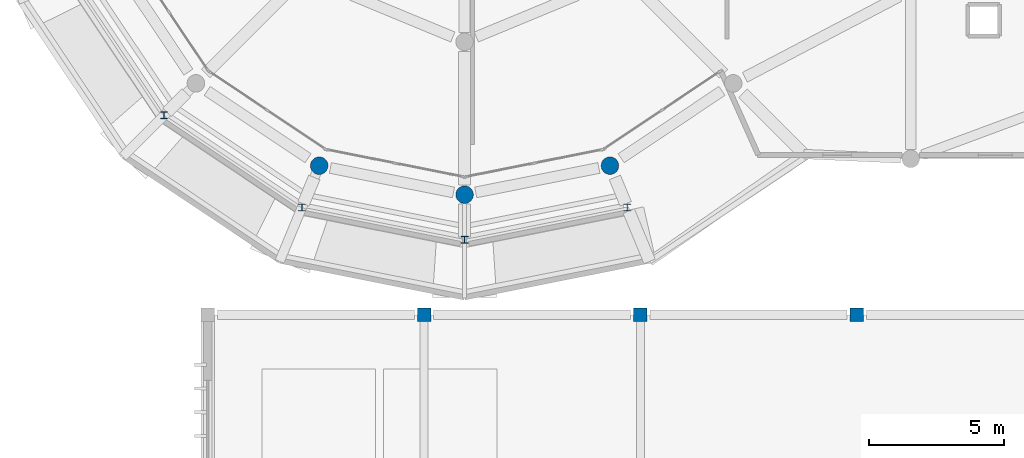
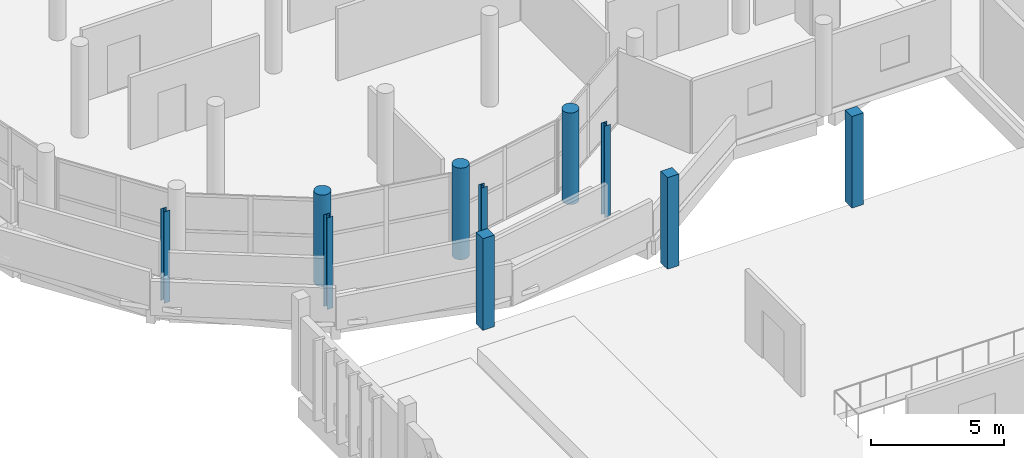
# One storey, part 2 of 137: 10 columns.
"""IFC4 building model written with IfcOpenShell, lengths in metres."""

from ifc_helpers import new_model, si_unit, direction, frame, origin, origin_2d, place, context, subcontext, project, spatial, rectangle, circle, i_section, extrude, material, material_profile, profile_set, type_object, element, save


model = new_model("IFC4")

# Units and contexts
model_context = context("Model", 3, precision=1e-05, world=origin(), true_north=direction((0.0, 1.0)))
body_context = subcontext(model_context, "Body", "Model", "MODEL_VIEW")
ifc_project = project(units=[si_unit("LENGTHUNIT", "METRE"), si_unit("AREAUNIT", "SQUARE_METRE"), si_unit("VOLUMEUNIT", "CUBIC_METRE"), si_unit("PLANEANGLEUNIT", "RADIAN"), si_unit("MASSUNIT", "GRAM", prefix="KILO")], contexts=[model_context])

# Site, building, storey
site_placement = place(None, origin())
site = spatial("IfcSite", under=ifc_project, at=site_placement, CompositionType="ELEMENT")
building_placement = place(site_placement, origin())
building = spatial("IfcBuilding", under=site, at=building_placement, Name="Jelvoka-Kovrelna Polytechnic", CompositionType="ELEMENT")
storey_placement = place(building_placement, frame((0.0, 0.0, 9.60009765625)))
storey = spatial("IfcBuildingStorey", under=building, at=storey_placement, Name="L03", CompositionType="ELEMENT", Elevation=9.60009765625)

# Columns
ifc_material_1 = material(Name="Concrete C40/50", Category="concrete")
ifc_material_profile_1 = material_profile(ifc_material_1, rectangle(XDim=0.5, YDim=0.5, at=origin_2d()), Name="RC 500x500")
ifc_profile_set_1 = profile_set([ifc_material_profile_1], Name="Concrete C40/50")
column_type_1 = type_object("IfcColumnType", Name="Col_RC_500", PredefinedType="COLUMN", material=ifc_profile_set_1)
for number, where, z_axis, x_axis, name in (
    (1, (24.0, 24.0, 0.0), (0.0, 0.0, 1.0), (0.0, 1.0, 0.0), "L03 column 0302"),
    (2, (32.0, 24.0, 0.0), (0.0, 0.0, 1.0), (0.0, 1.0, 0.0), "L03 column 0306"),
    (3, (40.0, 24.0, 0.0), (0.0, 0.0, 1.0), (0.0, 1.0, 0.0), "L03 column 0310"),
):
    element("IfcColumn", number, at=place(storey_placement, frame(where, z_axis=z_axis, x_axis=x_axis)), inside=storey, type_object=column_type_1, Name=name, PredefinedType="COLUMN", context=body_context, shape_type="SweptSolid", body=[
        extrude(rectangle(XDim=0.5, YDim=0.5, at=origin_2d()), origin(), (0.0, 0.0, 1.0), 4.199951171875),
    ])
ifc_material_2 = material(Name="Concrete C40/50", Category="concrete")
ifc_material_profile_2 = material_profile(ifc_material_2, circle(Radius=0.324951171875, at=origin_2d()), Name="RC D650")
ifc_profile_set_2 = profile_set([ifc_material_profile_2], Name="Concrete C40/50")
column_type_2 = type_object("IfcColumnType", Name="Col_RC_D650", PredefinedType="COLUMN", material=ifc_profile_set_2)
for number, where, z_axis, x_axis, name in (
    (4, (25.5, 28.449951171875, 0.0), (0.0, 0.0, 1.0), (1.0, 0.0, 0.0), "L03 column 0411"),
    (5, (20.123291015625, 29.51953125, 0.0), (0.0, 0.0, 1.0), (1.0, 0.0, 0.0), "L03 column 0417"),
    (6, (30.876708984375, 29.51953125, 0.0), (0.0, 0.0, 1.0), (1.0, 0.0, 0.0), "L03 column 0423"),
):
    element("IfcColumn", number, at=place(storey_placement, frame(where, z_axis=z_axis, x_axis=x_axis)), inside=storey, type_object=column_type_2, Name=name, PredefinedType="COLUMN", context=body_context, shape_type="SweptSolid", body=[
        extrude(circle(Radius=0.324951171875, at=origin_2d()), origin(), (0.0, 0.0, 1.0), 4.199951171875),
    ])
ifc_material_3 = material(Name="Structural steel S355JR", Category="steel")
ifc_material_profile_3 = material_profile(ifc_material_3, i_section(OverallWidth=0.254638671875, OverallDepth=0.254150390625, WebThickness=0.008544921875, FlangeThickness=0.01416015625, FilletRadius=0.0126953125, at=origin_2d()), Name="254x254x73 UC")
ifc_profile_set_3 = profile_set([ifc_material_profile_3], Name="Structural steel S355JR")
column_type_3 = type_object("IfcColumnType", Name="Col_Steel_UC254", PredefinedType="COLUMN", material=ifc_profile_set_3)
for number, where, z_axis, x_axis, name in (
    (7, (14.38427734375, 31.38427734375, 0.0), (0.0, 0.0, 1.0), (1.0, 0.0, 0.0), "L03 recessed rotunda gallery post 1767"),
    (8, (19.484130859375, 27.9765625, 0.0), (0.0, 0.0, 1.0), (1.0, 0.0, 0.0), "L03 recessed rotunda gallery post 1773"),
    (9, (25.5, 26.780029296875, 0.0), (0.0, 0.0, 1.0), (1.0, 0.0, 0.0), "L03 recessed rotunda gallery post 1779"),
    (10, (31.515869140625, 27.9765625, 0.0), (0.0, 0.0, 1.0), (1.0, 0.0, 0.0), "L03 recessed rotunda gallery post 1785"),
):
    element("IfcColumn", number, at=place(storey_placement, frame(where, z_axis=z_axis, x_axis=x_axis)), inside=storey, type_object=column_type_3, Name=name, PredefinedType="COLUMN", context=body_context, shape_type="SweptSolid", body=[
        extrude(i_section(OverallWidth=0.254638671875, OverallDepth=0.254150390625, WebThickness=0.008544921875, FlangeThickness=0.01416015625, FilletRadius=0.0126953125, at=origin_2d()), origin(), (0.0, 0.0, 1.0), 4.199951171875),
    ])

save(model, "model.ifc")
